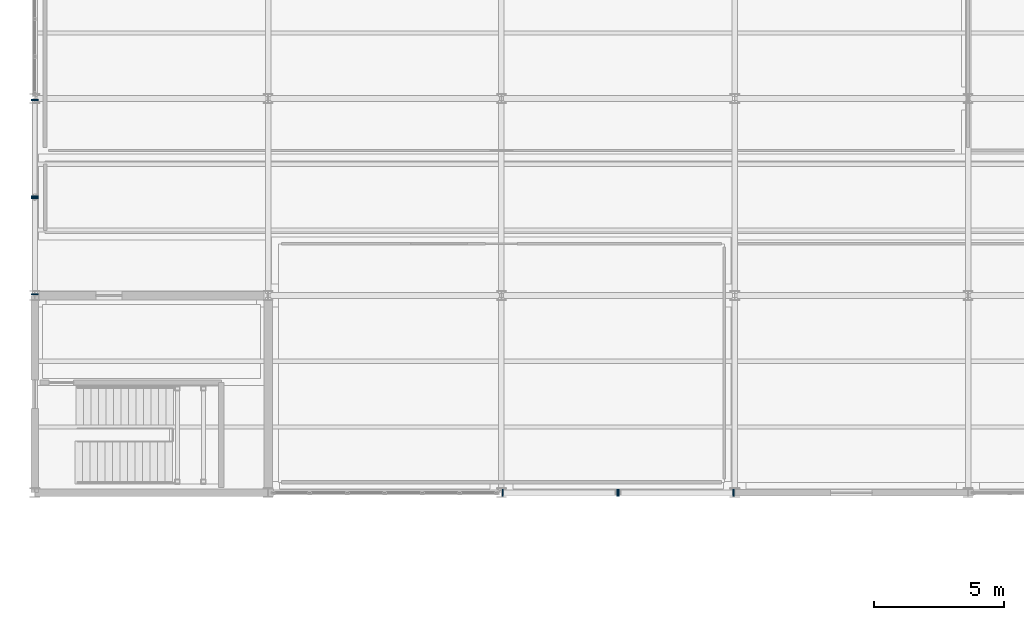
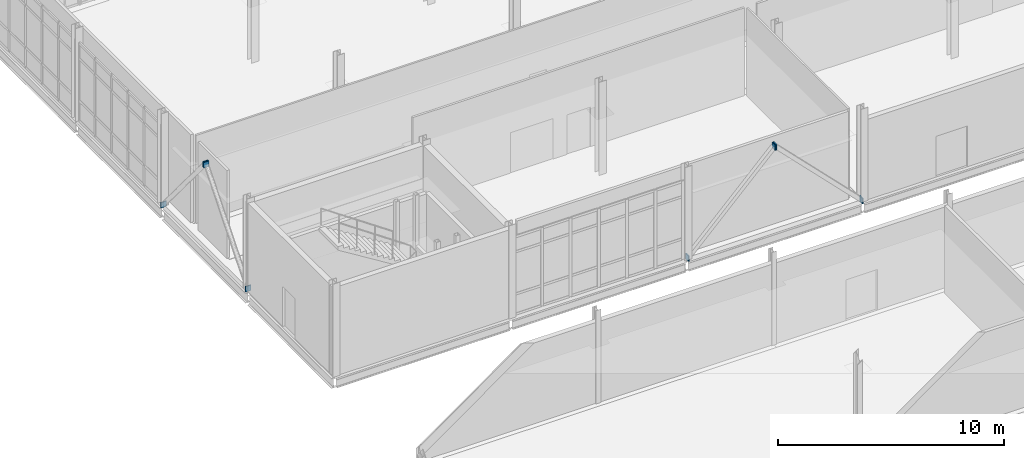
# One storey, part 134 of 161: 8 plates.
"""IFC4 building model written with IfcOpenShell, lengths in metres."""

from ifc_helpers import new_model, si_unit, direction, frame, origin, origin_2d, place, context, subcontext, project, spatial, rectangle, extrude, material, layer, layer_set, type_object, element, save


model = new_model("IFC4")

# Units and contexts
model_context = context("Model", 3, precision=1e-05, world=origin(), true_north=direction((0.0, 1.0)))
body_context = subcontext(model_context, "Body", "Model", "MODEL_VIEW")
ifc_project = project(units=[si_unit("LENGTHUNIT", "METRE"), si_unit("AREAUNIT", "SQUARE_METRE"), si_unit("VOLUMEUNIT", "CUBIC_METRE"), si_unit("PLANEANGLEUNIT", "RADIAN"), si_unit("MASSUNIT", "GRAM", prefix="KILO")], contexts=[model_context])

# Site, building, storey
site_placement = place(None, origin())
site = spatial("IfcSite", under=ifc_project, at=site_placement, CompositionType="ELEMENT")
building_placement = place(site_placement, origin())
building = spatial("IfcBuilding", under=site, at=building_placement, Name="Caisbarro Railhouse Central Library", CompositionType="ELEMENT")
storey_placement = place(building_placement, origin())
storey = spatial("IfcBuildingStorey", under=building, at=storey_placement, Name="L00", CompositionType="ELEMENT", Elevation=0.0)

# Plates
ifc_material = material(Name="Steel ASTM A572 Grade 50", Category="steel")
ifc_layer = layer(ifc_material, 0.044921875, Name="Steel ASTM A572 Grade 50")
ifc_layer_set = layer_set([ifc_layer], Name="Steel ASTM A572 Grade 50")
plate_type = type_object("IfcPlateType", Name="PLT-EP01", PredefinedType="SHEET", material=ifc_layer_set)
for number, where, z_axis, x_axis, name in (
    (1, (18.051513671875, 30.39990234375, -0.138671875), (0.0, 0.0, 1.0), (1.0, 0.0, 0.0), "EP01 end cap plate"),
    (2, (22.468505859375, 30.39990234375, 4.318359375), (0.0, 0.0, 1.0), (1.0, 0.0, 0.0), "EP01 end cap plate"),
    (3, (26.948486328125, 30.39990234375, -0.138671875), (0.0, 0.0, 1.0), (-1.0, 0.0, 0.0), "EP01 end cap plate"),
    (4, (22.531494140625, 30.39990234375, 4.318359375), (0.0, 0.0, 1.0), (-1.0, 0.0, 0.0), "EP01 end cap plate"),
    (5, (0.0, 38.05224609375, -0.13916015625), (0.0, 0.0, 1.0), (0.0, 1.0, 0.0), "EP01 end cap plate"),
    (6, (0.0, 41.767578125, 4.3193359375), (0.0, 0.0, 1.0), (0.0, 1.0, 0.0), "EP01 end cap plate"),
    (7, (0.0, 45.547607421875, -0.13916015625), (0.0, 0.0, 1.0), (0.0, -1.0, 0.0), "EP01 end cap plate"),
    (8, (0.0, 41.832275390625, 4.3193359375), (0.0, 0.0, 1.0), (0.0, -1.0, 0.0), "EP01 end cap plate"),
):
    element("IfcPlate", number, at=place(storey_placement, frame(where, z_axis=z_axis, x_axis=x_axis)), inside=storey, type_object=plate_type, Name=name, PredefinedType="SHEET", context=body_context, shape_type="SweptSolid", body=[
        extrude(rectangle(XDim=0.044921875, YDim=0.280029296875, at=origin_2d()), origin(), (0.0, 0.0, 1.0), 0.300048828125),
    ])

save(model, "model.ifc")
